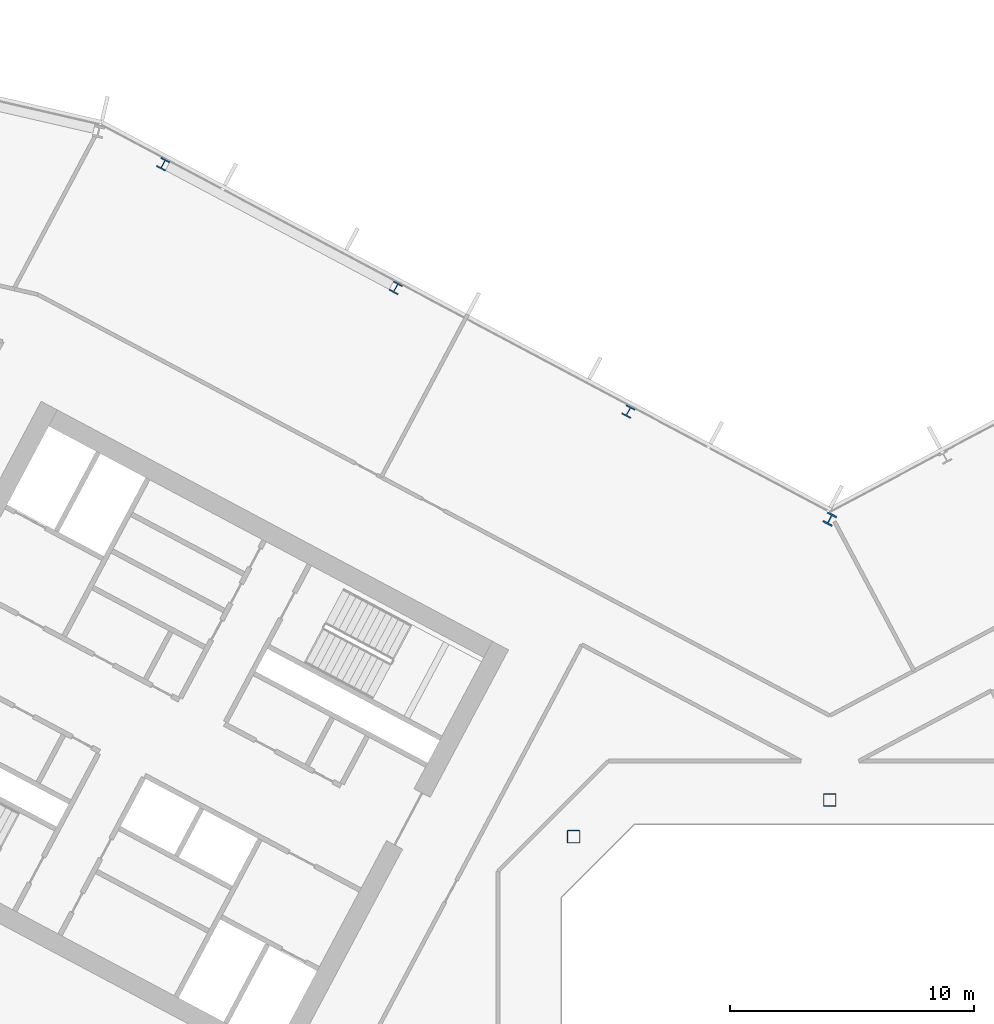
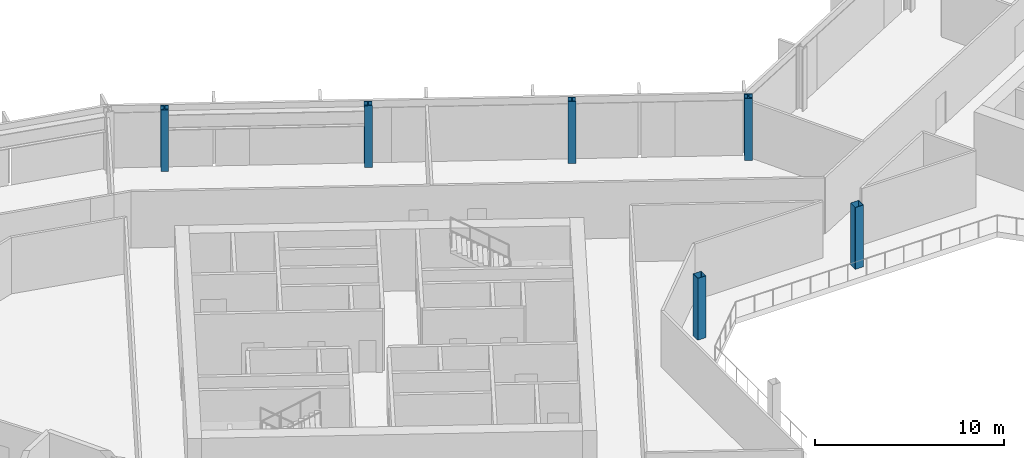
# One storey, part 4 of 28: 6 columns.
"""IFC4 building model written with IfcOpenShell, lengths in metres."""

from ifc_helpers import new_model, si_unit, direction, frame, origin, origin_2d, place, context, subcontext, project, spatial, hollow_rectangle, i_section, extrude, material, material_profile, profile_set, type_object, element, save


model = new_model("IFC4")

# Units and contexts
model_context = context("Model", 3, precision=1e-05, world=origin(), true_north=direction((0.0, 1.0)))
body_context = subcontext(model_context, "Body", "Model", "MODEL_VIEW")
ifc_project = project(units=[si_unit("LENGTHUNIT", "METRE"), si_unit("AREAUNIT", "SQUARE_METRE"), si_unit("VOLUMEUNIT", "CUBIC_METRE"), si_unit("PLANEANGLEUNIT", "RADIAN"), si_unit("MASSUNIT", "GRAM", prefix="KILO")], contexts=[model_context])

# Site, building, storey
site_placement = place(None, origin())
site = spatial("IfcSite", under=ifc_project, at=site_placement, CompositionType="ELEMENT")
building_placement = place(site_placement, origin())
building = spatial("IfcBuilding", under=site, at=building_placement, Name="Cormorant Relay Tower", CompositionType="ELEMENT")
storey_placement = place(building_placement, frame((0.0, 0.0, 150.199951171875)))
storey = spatial("IfcBuildingStorey", under=building, at=storey_placement, Name="L31", CompositionType="ELEMENT", Elevation=150.199951171875)

# Columns
ifc_material_1 = material(Name="Steel ASTM A500 Grade C (Fy 345 MPa)", Category="steel")
ifc_material_profile_1 = material_profile(ifc_material_1, hollow_rectangle(XDim=0.508056640625, YDim=0.508056640625, WallThickness=0.01171875, InnerFilletRadius=0.005859375, OuterFilletRadius=0.017822265625, at=origin_2d()), Name="HSS508x508x12")
ifc_profile_set_1 = profile_set([ifc_material_profile_1], Name="Steel ASTM A500 Grade C (Fy 345 MPa)")
column_type_1 = type_object("IfcColumnType", Name="Column HSS508x508x12", PredefinedType="COLUMN", material=ifc_profile_set_1)
for number, where, z_axis, x_axis, name in (
    (1, (-10.5, 10.5, 0.0), (0.0, 0.0, 1.0), (1.0, 0.0, 0.0), "Column L31-023"),
    (2, (0.0, 12.0, 0.0), (0.0, 0.0, 1.0), (1.0, 0.0, 0.0), "Column L31-025"),
):
    element("IfcColumn", number, at=place(storey_placement, frame(where, z_axis=z_axis, x_axis=x_axis)), inside=storey, type_object=column_type_1, Name=name, PredefinedType="COLUMN", context=body_context, shape_type="SweptSolid", body=[
        extrude(hollow_rectangle(XDim=0.508056640625, YDim=0.508056640625, WallThickness=0.01171875, InnerFilletRadius=0.005859375, OuterFilletRadius=0.017822265625, at=origin_2d()), origin(), (0.0, 0.0, 1.0), 4.0),
    ])
ifc_material_2 = material(Name="Steel ASTM A992 (Fy 345 MPa)", Category="steel")
ifc_material_profile_2 = material_profile(ifc_material_2, i_section(OverallWidth=0.41162109375, OverallDepth=0.434326171875, WebThickness=0.035888671875, FlangeThickness=0.057373046875, FilletRadius=0.01513671875, at=origin_2d()), Name="W360x463")
ifc_profile_set_2 = profile_set([ifc_material_profile_2], Name="Steel ASTM A992 (Fy 345 MPa)")
column_type_2 = type_object("IfcColumnType", Name="Column W360x463", PredefinedType="COLUMN", material=ifc_profile_set_2)
for number, where, z_axis, x_axis, name in (
    (3, (-8.257080078125, 27.925048828125, 0.0), (0.0, 0.0, 1.0), (-0.882947592859, 0.469471562786, 0.0), "Column L31-036"),
    (4, (-17.7919921875, 32.9951171875, 0.0), (0.0, 0.0, 1.0), (-0.882947592859, 0.469471562786, 0.0), "Column L31-040"),
    (5, (-27.327880859375, 38.06494140625, 0.0), (0.0, 0.0, 1.0), (-0.882947592859, 0.469471562786, 0.0), "Column L31-044"),
):
    element("IfcColumn", number, at=place(storey_placement, frame(where, z_axis=z_axis, x_axis=x_axis)), inside=storey, type_object=column_type_2, Name=name, PredefinedType="COLUMN", context=body_context, shape_type="SweptSolid", body=[
        extrude(i_section(OverallWidth=0.41162109375, OverallDepth=0.434326171875, WebThickness=0.035888671875, FlangeThickness=0.057373046875, FilletRadius=0.01513671875, at=origin_2d()), origin(), (0.0, 0.0, 1.0), 4.0),
    ])
ifc_material_3 = material(Name="Steel ASTM A992 (Fy 345 MPa)", Category="steel")
ifc_material_profile_3 = material_profile(ifc_material_3, i_section(OverallWidth=0.42431640625, OverallDepth=0.47509765625, WebThickness=0.0478515625, FlangeThickness=0.0771484375, FilletRadius=0.014892578125, at=origin_2d()), Name="W360x634")
ifc_profile_set_3 = profile_set([ifc_material_profile_3], Name="Steel ASTM A992 (Fy 345 MPa)")
column_type_3 = type_object("IfcColumnType", Name="Column W360x634", PredefinedType="COLUMN", material=ifc_profile_set_3)
column_placement = place(storey_placement, frame((0.0, 23.513916015625, 0.0), z_axis=(0.0, 0.0, 1.0), x_axis=(-0.882947592859, 0.469471562786, 0.0)))
element("IfcColumn", 6, at=column_placement, inside=storey, type_object=column_type_3, Name="Column L31-032", PredefinedType="COLUMN", context=body_context, shape_type="SweptSolid", body=[
    extrude(i_section(OverallWidth=0.42431640625, OverallDepth=0.47509765625, WebThickness=0.0478515625, FlangeThickness=0.0771484375, FilletRadius=0.014892578125, at=origin_2d()), origin(), (0.0, 0.0, 1.0), 4.0),
])

save(model, "model.ifc")
